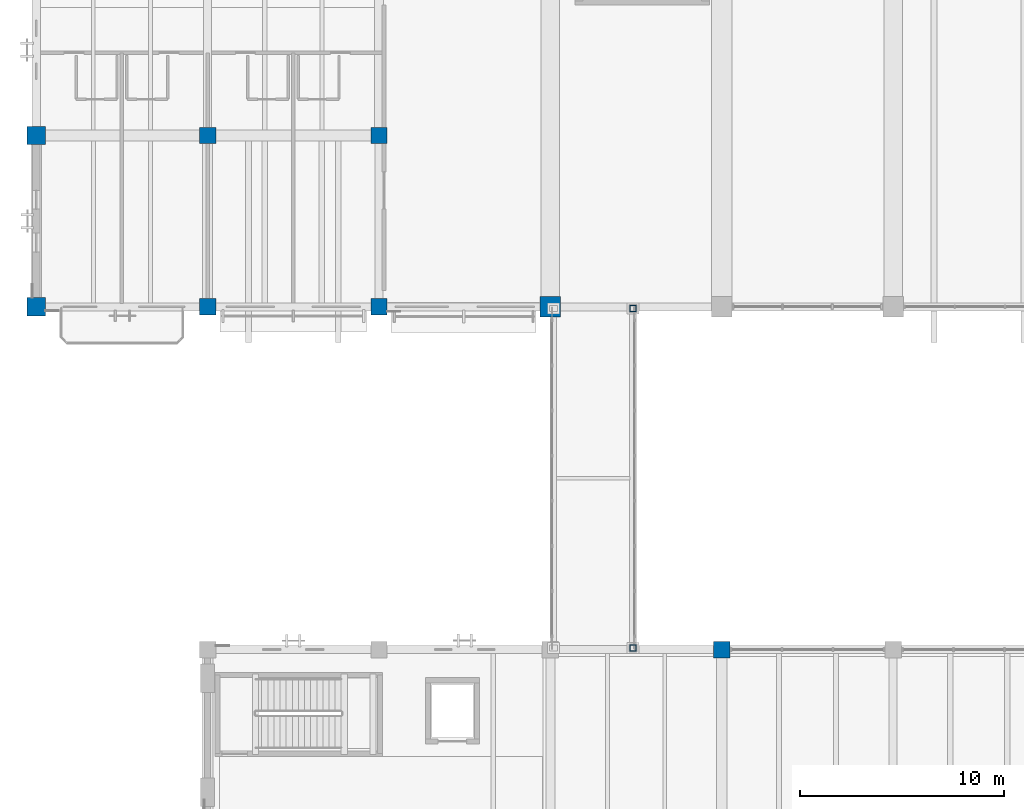
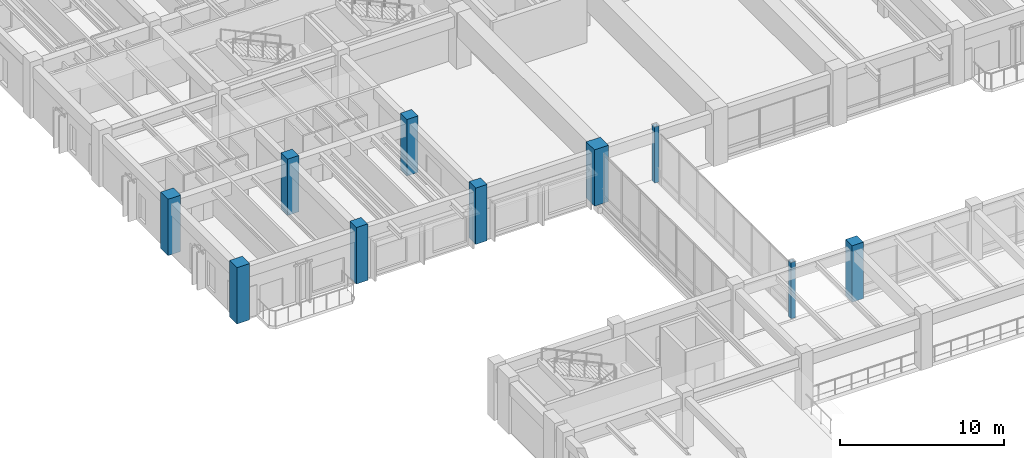
# One storey, part 2 of 132: 10 columns.
"""IFC4 building model written with IfcOpenShell, lengths in metres."""

from ifc_helpers import new_model, si_unit, direction, frame, origin, origin_2d, place, context, subcontext, project, spatial, rectangle, hollow_rectangle, extrude, material, material_profile, profile_set, type_object, element, save


model = new_model("IFC4")

# Units and contexts
model_context = context("Model", 3, precision=1e-05, world=origin(), true_north=direction((0.0, 1.0)))
body_context = subcontext(model_context, "Body", "Model", "MODEL_VIEW")
ifc_project = project(units=[si_unit("LENGTHUNIT", "METRE"), si_unit("AREAUNIT", "SQUARE_METRE"), si_unit("VOLUMEUNIT", "CUBIC_METRE"), si_unit("PLANEANGLEUNIT", "RADIAN"), si_unit("MASSUNIT", "GRAM", prefix="KILO")], contexts=[model_context])

# Site, building, storey
site_placement = place(None, origin())
site = spatial("IfcSite", under=ifc_project, at=site_placement, CompositionType="ELEMENT")
building_placement = place(site_placement, origin())
building = spatial("IfcBuilding", under=site, at=building_placement, Name="Cumbredor Promenade Congress Hotel", CompositionType="ELEMENT")
storey_placement = place(building_placement, frame((0.0, 0.0, 7.56005859375)))
storey = spatial("IfcBuildingStorey", under=building, at=storey_placement, Name="L02", CompositionType="ELEMENT", Elevation=7.56005859375)

# Columns
ifc_material_1 = material(Name="Concrete C50/60", Category="concrete")
ifc_material_profile_1 = material_profile(ifc_material_1, rectangle(XDim=1.0, YDim=1.0, at=origin_2d()), Name="RC 1000x1000")
ifc_profile_set_1 = profile_set([ifc_material_profile_1], Name="Concrete C50/60")
column_type_1 = type_object("IfcColumnType", Name="COL-RC-1000", PredefinedType="COLUMN", material=ifc_profile_set_1)
column_placement = place(storey_placement, frame((25.199951171875, 84.0, 0.0), z_axis=(0.0, 0.0, 1.0), x_axis=(1.0, 0.0, 0.0)))
element("IfcColumn", 1, at=column_placement, inside=storey, type_object=column_type_1, Name="L02 Structural Column 036", PredefinedType="COLUMN", context=body_context, shape_type="SweptSolid", body=[
    extrude(rectangle(XDim=1.0, YDim=1.0, at=origin_2d()), origin(), (0.0, 0.0, 1.0), 4.199951171875),
])
ifc_material_profile_2 = material_profile(ifc_material_1, rectangle(XDim=0.800048828125, YDim=0.800048828125, at=origin_2d()), Name="RC 800x800")
ifc_profile_set_2 = profile_set([ifc_material_profile_2], Name="Concrete C50/60")
column_type_2 = type_object("IfcColumnType", Name="COL-RC-800", PredefinedType="COLUMN", material=ifc_profile_set_2)
for number, where, z_axis, x_axis, name in (
    (2, (8.39990234375, 84.0, 0.0), (0.0, 0.0, 1.0), (1.0, 0.0, 0.0), "L02 Structural Column 014"),
    (3, (8.39990234375, 92.39990234375, 0.0), (0.0, 0.0, 1.0), (1.0, 0.0, 0.0), "L02 Structural Column 015"),
    (4, (16.800048828125, 84.0, 0.0), (0.0, 0.0, 1.0), (1.0, 0.0, 0.0), "L02 Structural Column 027"),
    (5, (16.800048828125, 92.39990234375, 0.0), (0.0, 0.0, 1.0), (1.0, 0.0, 0.0), "L02 Structural Column 028"),
    (6, (33.60009765625, 67.199951171875, 0.0), (0.0, 0.0, 1.0), (1.0, 0.0, 0.0), "L02 Structural Column 043"),
):
    element("IfcColumn", number, at=place(storey_placement, frame(where, z_axis=z_axis, x_axis=x_axis)), inside=storey, type_object=column_type_2, Name=name, PredefinedType="COLUMN", context=body_context, shape_type="SweptSolid", body=[
        extrude(rectangle(XDim=0.800048828125, YDim=0.800048828125, at=origin_2d()), origin(), (0.0, 0.0, 1.0), 4.199951171875),
    ])
ifc_material_profile_3 = material_profile(ifc_material_1, rectangle(XDim=0.89990234375, YDim=0.89990234375, at=origin_2d()), Name="RC 900x900")
ifc_profile_set_3 = profile_set([ifc_material_profile_3], Name="Concrete C50/60")
column_type_3 = type_object("IfcColumnType", Name="COL-RC-900", PredefinedType="COLUMN", material=ifc_profile_set_3)
for number, where, z_axis, x_axis, name in (
    (7, (0.0, 84.0, 0.0), (0.0, 0.0, 1.0), (1.0, 0.0, 0.0), "L02 Structural Column 001"),
    (8, (0.0, 92.39990234375, 0.0), (0.0, 0.0, 1.0), (1.0, 0.0, 0.0), "L02 Structural Column 002"),
):
    element("IfcColumn", number, at=place(storey_placement, frame(where, z_axis=z_axis, x_axis=x_axis)), inside=storey, type_object=column_type_3, Name=name, PredefinedType="COLUMN", context=body_context, shape_type="SweptSolid", body=[
        extrude(rectangle(XDim=0.89990234375, YDim=0.89990234375, at=origin_2d()), origin(), (0.0, 0.0, 1.0), 4.199951171875),
    ])
ifc_material_2 = material(Name="Steel ASTM A500 Grade C", Category="steel")
ifc_material_profile_4 = material_profile(ifc_material_2, hollow_rectangle(XDim=0.300048828125, YDim=0.300048828125, WallThickness=0.01611328125, at=origin_2d()), Name="HSS 300x300x16")
ifc_profile_set_4 = profile_set([ifc_material_profile_4], Name="Steel ASTM A500 Grade C")
column_type_4 = type_object("IfcColumnType", Name="COL-STL-HSS300", PredefinedType="COLUMN", material=ifc_profile_set_4)
for number, where, z_axis, x_axis, name in (
    (9, (29.25, 67.280029296875, 0.0), (0.0, 0.0, 1.0), (1.0, 0.0, 0.0), "L02 West Congress-to-Hotel Glazed Bridge Support Column 2"),
    (10, (29.25, 83.919921875, 0.0), (0.0, 0.0, 1.0), (1.0, 0.0, 0.0), "L02 West Congress-to-Hotel Glazed Bridge Support Column 4"),
):
    element("IfcColumn", number, at=place(storey_placement, frame(where, z_axis=z_axis, x_axis=x_axis)), inside=storey, type_object=column_type_4, Name=name, PredefinedType="COLUMN", context=body_context, shape_type="SweptSolid", body=[
        extrude(hollow_rectangle(XDim=0.300048828125, YDim=0.300048828125, WallThickness=0.01611328125, at=origin_2d()), origin(), (0.0, 0.0, 1.0), 4.199951171875),
    ])

save(model, "model.ifc")
